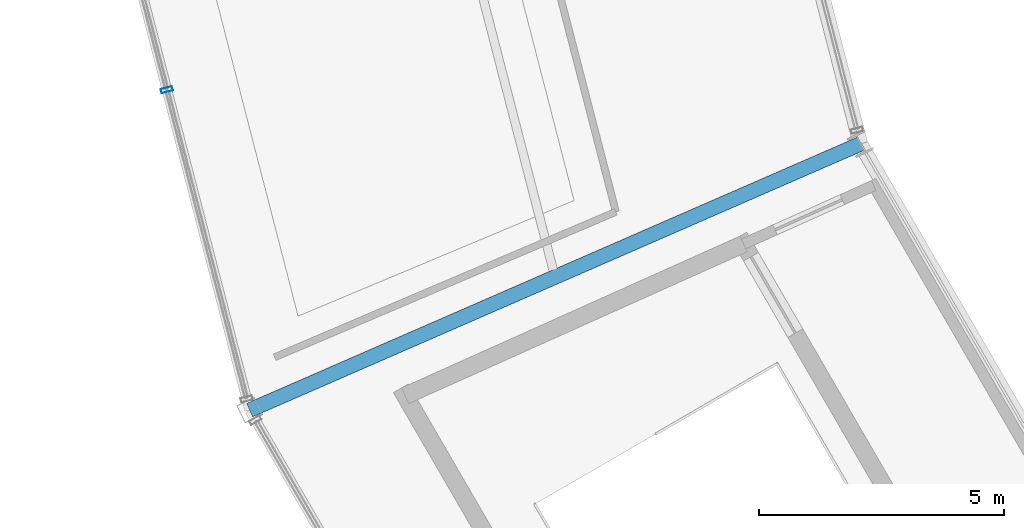
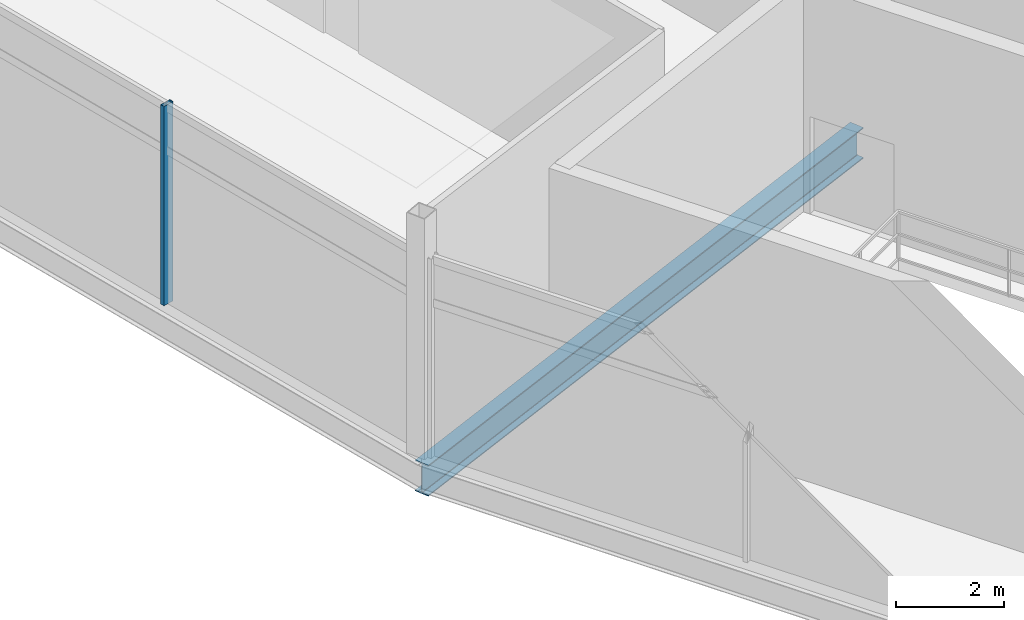
# One storey, part 25 of 86: 1 beam, 1 member, 1 element without a shape of its own.
"""IFC4 building model written with IfcOpenShell, lengths in metres."""

from ifc_helpers import new_model, si_unit, direction, frame, origin, origin_2d, place, context, subcontext, project, spatial, hollow_rectangle, i_section, extrude, material, layer, layer_set, material_profile, profile_set, type_object, element, aggregate, save


model = new_model("IFC4")

# Units and contexts
model_context = context("Model", 3, precision=1e-05, world=origin(), true_north=direction((0.0, 1.0)))
body_context = subcontext(model_context, "Body", "Model", "MODEL_VIEW")
ifc_project = project(units=[si_unit("LENGTHUNIT", "METRE"), si_unit("AREAUNIT", "SQUARE_METRE"), si_unit("VOLUMEUNIT", "CUBIC_METRE"), si_unit("PLANEANGLEUNIT", "RADIAN"), si_unit("MASSUNIT", "GRAM", prefix="KILO")], contexts=[model_context])

# Site, building, storey
site_placement = place(None, origin())
site = spatial("IfcSite", under=ifc_project, at=site_placement, CompositionType="ELEMENT")
building_placement = place(site_placement, origin())
building = spatial("IfcBuilding", under=site, at=building_placement, Name="Kazemori Nagisa Stadium", CompositionType="ELEMENT")
storey_placement = place(building_placement, frame((0.0, 0.0, 31.280029296875)))
storey = spatial("IfcBuildingStorey", under=building, at=storey_placement, Name="L06", CompositionType="ELEMENT", Elevation=31.280029296875)

# Beam
ifc_material_1 = material(Name="Steel SN490B", Category="steel")
ifc_material_profile_1 = material_profile(ifc_material_1, i_section(OverallWidth=0.300048828125, OverallDepth=0.699951171875, WebThickness=0.012939453125, FlangeThickness=0.02392578125, FilletRadius=0.01806640625, at=origin_2d()), Name="H-700x300x13x24")
ifc_profile_set_1 = profile_set([ifc_material_profile_1], Name="Steel SN490B")
beam_type = type_object("IfcBeamType", Name="Beam_BG-H700", PredefinedType="BEAM", material=ifc_profile_set_1)
beam_placement = place(storey_placement, frame((46.55908203125, 68.67529296875, -0.610107421875), z_axis=(-0.916683633521, -0.399613708517, 0.0), x_axis=(0.399613708517, -0.916683633521, 0.0)))
element("IfcBeam", 1, at=beam_placement, inside=storey, type_object=beam_type, Name="Radial girder BG-H700 L06 R2-R3-17", PredefinedType="BEAM", context=body_context, shape_type="SweptSolid", body=[
    extrude(i_section(OverallWidth=0.300048828125, OverallDepth=0.699951171875, WebThickness=0.012939453125, FlangeThickness=0.02392578125, FilletRadius=0.01806640625, at=origin_2d()), origin(), (0.0, 0.0, 1.0), 13.5751953125),
])

# Curtain wall, member
ifc_material_2 = material(Name="Anodised aluminium 6063-T5", Category="aluminium")
ifc_layer = layer(ifc_material_2, 0.239990234375, Name="Anodised aluminium 6063-T5", Category="aluminium")
ifc_layer_set = layer_set([ifc_layer], Name="Anodised aluminium 6063-T5")
curtain_wall_type = type_object("IfcCurtainWallType", Name="CW_L06R3_98", PredefinedType="USERDEFINED", material=ifc_layer_set)
curtain_wall_placement = place(storey_placement, origin())
curtain_wall = element("IfcCurtainWall", 2, at=curtain_wall_placement, inside=storey, type_object=curtain_wall_type, Name="Unitised curtain wall CW-L06R3-98 L06", ObjectType="UNITISED CURTAIN WALL", PredefinedType="USERDEFINED")
ifc_material_3 = material(Name="Aluminium 6063-T5 anodised", Category="aluminium")
ifc_material_profile_2 = material_profile(ifc_material_3, hollow_rectangle(XDim=0.090087890625, YDim=0.239990234375, WallThickness=0.0048828125, at=origin_2d()), Name="ALU-MULL-90x240x5")
ifc_profile_set_2 = profile_set([ifc_material_profile_2], Name="Aluminium 6063-T5 anodised")
member_type = type_object("IfcMemberType", Name="Mullion_M03", PredefinedType="MULLION", material=ifc_profile_set_2)
member_placement = place(storey_placement, frame((32.43017578125, 69.77685546875, 0.0), z_axis=(0.0, 0.0, 1.0), x_axis=(0.249964642418, -0.968254965152, 0.0)))
member = element("IfcMember", 3, at=member_placement, type_object=member_type, Name="Curtain wall mullion CW-L06R3-98-M3", PredefinedType="MULLION", context=body_context, shape_type="SweptSolid", body=[
    extrude(hollow_rectangle(XDim=0.090087890625, YDim=0.239990234375, WallThickness=0.0048828125, at=origin_2d()), origin(), (0.0, 0.0, 1.0), 4.510009765625),
])
aggregate(curtain_wall, [member])

save(model, "model.ifc")
